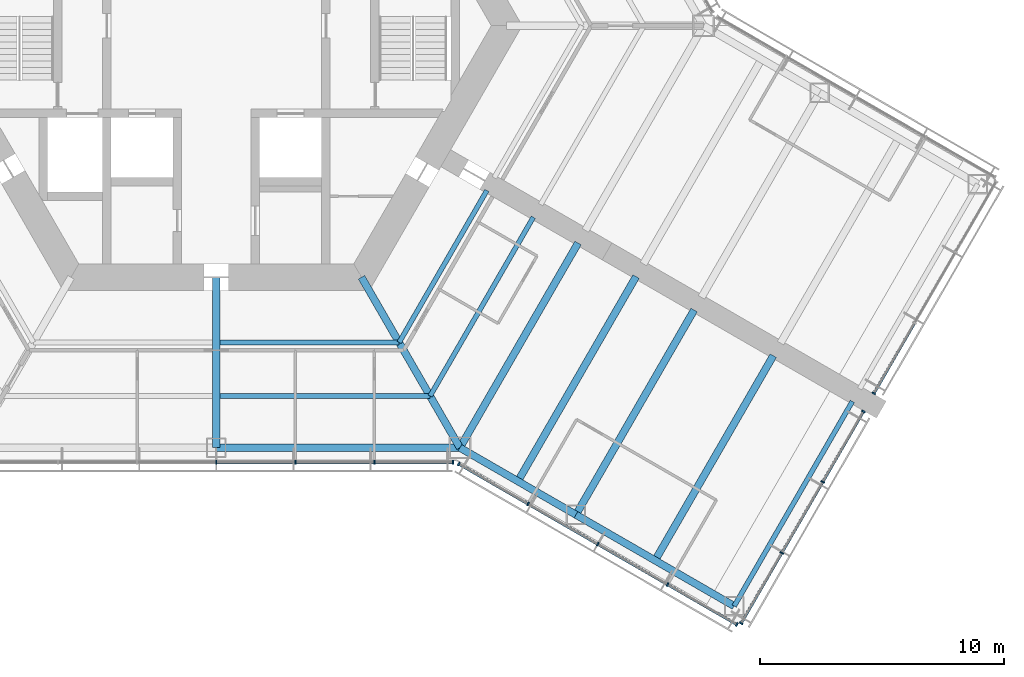
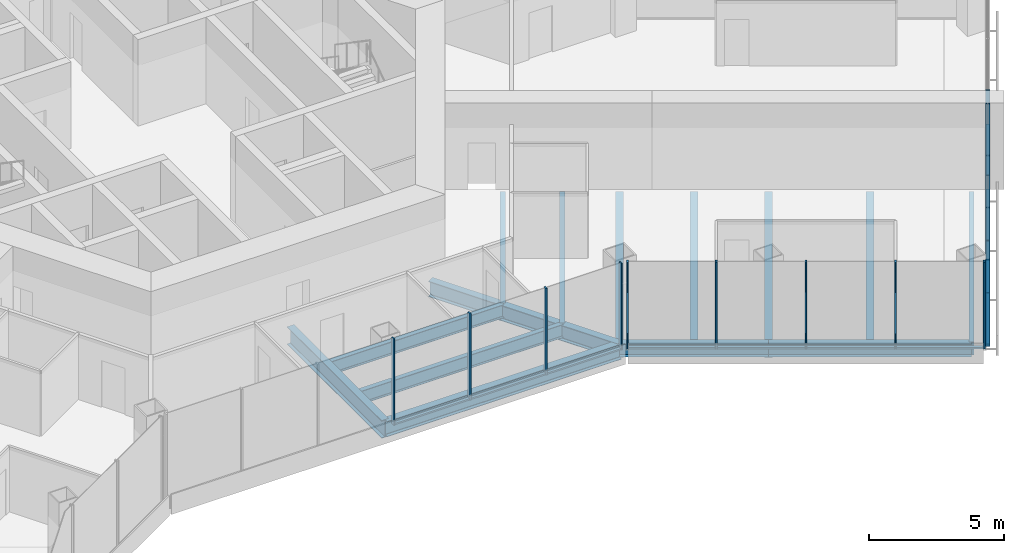
# One storey, part 5 of 19: 25 members, 14 beams, 4 elements without a shape of their own.
"""IFC4 building model written with IfcOpenShell, lengths in metres."""

from ifc_helpers import new_model, si_unit, direction, frame, origin, origin_2d, place, context, subcontext, project, spatial, rectangle, i_section, extrude, material, material_profile, profile_set, type_object, element, aggregate, save


model = new_model("IFC4")

# Units and contexts
model_context = context("Model", 3, precision=1e-05, world=origin(), true_north=direction((0.0, 1.0)))
body_context = subcontext(model_context, "Body", "Model", "MODEL_VIEW")
ifc_project = project(units=[si_unit("LENGTHUNIT", "METRE"), si_unit("AREAUNIT", "SQUARE_METRE"), si_unit("VOLUMEUNIT", "CUBIC_METRE"), si_unit("PLANEANGLEUNIT", "RADIAN"), si_unit("MASSUNIT", "GRAM", prefix="KILO")], contexts=[model_context])

# Site, building, storey
site_placement = place(None, origin())
site = spatial("IfcSite", under=ifc_project, at=site_placement, CompositionType="ELEMENT")
building_placement = place(site_placement, origin())
building = spatial("IfcBuilding", under=site, at=building_placement, Name="Kasaneha Research Tower", CompositionType="ELEMENT")
storey_placement = place(building_placement, frame((0.0, 0.0, 88.5)))
storey = spatial("IfcBuildingStorey", under=building, at=storey_placement, Name="L22", CompositionType="ELEMENT", Elevation=88.5)

# Beams
ifc_material_1 = material(Name="Steel SN490B", Category="steel")
ifc_material_profile_1 = material_profile(ifc_material_1, i_section(OverallWidth=0.199951171875, OverallDepth=0.60009765625, WebThickness=0.010986328125, FlangeThickness=0.01708984375, FilletRadius=0.012939453125, at=origin_2d()), Name="H-600x200x11x17")
ifc_profile_set_1 = profile_set([ifc_material_profile_1], Name="Steel SN490B")
beam_type_1 = type_object("IfcBeamType", Name="B1-3 secondary beam H-600x200x11x17", PredefinedType="JOIST", material=ifc_profile_set_1)
beam_1_placement = place(storey_placement, frame((7.505615234375, -13.0, -0.449951171875), z_axis=(-1.0, 0.0, 0.0), x_axis=(0.0, -1.0, 0.0)))
element("IfcBeam", 1, at=beam_1_placement, inside=storey, type_object=beam_type_1, Name="Secondary beam RS270R1 L22", PredefinedType="JOIST", context=body_context, shape_type="SweptSolid", body=[
    extrude(i_section(OverallWidth=0.199951171875, OverallDepth=0.60009765625, WebThickness=0.010986328125, FlangeThickness=0.01708984375, FilletRadius=0.012939453125, at=origin_2d()), origin(), (0.0, 0.0, 1.0), 7.355712890625),
])
beam_2_placement = place(storey_placement, frame((8.775634765625, -15.199951171875, -0.449951171875), z_axis=(-1.0, 0.0, 0.0), x_axis=(0.0, -1.0, 0.0)))
element("IfcBeam", 2, at=beam_2_placement, inside=storey, type_object=beam_type_1, Name="Secondary beam RS270R2 L22", PredefinedType="JOIST", context=body_context, shape_type="SweptSolid", body=[
    extrude(i_section(OverallWidth=0.199951171875, OverallDepth=0.60009765625, WebThickness=0.010986328125, FlangeThickness=0.01708984375, FilletRadius=0.012939453125, at=origin_2d()), origin(), (0.0, 0.0, 1.0), 8.625732421875),
])
beam_3_placement = place(storey_placement, frame((7.505615234375, -13.0, -0.449951171875), z_axis=(0.499998147991, 0.86602647304, 0.0), x_axis=(-0.86602647304, 0.499998147991, 0.0)))
element("IfcBeam", 3, at=beam_3_placement, inside=storey, type_object=beam_type_1, Name="Secondary beam RS330L1 L22", PredefinedType="JOIST", context=body_context, shape_type="SweptSolid", body=[
    extrude(i_section(OverallWidth=0.199951171875, OverallDepth=0.60009765625, WebThickness=0.010986328125, FlangeThickness=0.01708984375, FilletRadius=0.012939453125, at=origin_2d()), origin(), (0.0, 0.0, 1.0), 7.20556640625),
])
beam_4_placement = place(storey_placement, frame((8.775634765625, -15.199951171875, -0.449951171875), z_axis=(0.500020829043, 0.866013377797, 0.0), x_axis=(-0.866013377797, 0.500020829043, 0.0)))
element("IfcBeam", 4, at=beam_4_placement, inside=storey, type_object=beam_type_1, Name="Secondary beam RS330L2 L22", PredefinedType="JOIST", context=body_context, shape_type="SweptSolid", body=[
    extrude(i_section(OverallWidth=0.199951171875, OverallDepth=0.60009765625, WebThickness=0.010986328125, FlangeThickness=0.01708984375, FilletRadius=0.012939453125, at=origin_2d()), origin(), (0.0, 0.0, 1.0), 8.475830078125),
])
ifc_material_2 = material(Name="Steel SN490B", Category="steel")
ifc_material_profile_2 = material_profile(ifc_material_2, i_section(OverallWidth=0.300048828125, OverallDepth=0.58203125, WebThickness=0.011962890625, FlangeThickness=0.01708984375, FilletRadius=0.012939453125, at=origin_2d()), Name="H-582x300x12x17")
ifc_profile_set_2 = profile_set([ifc_material_profile_2], Name="Steel SN490B")
beam_type_2 = type_object("IfcBeamType", Name="B2-3 secondary beam H-582x300x12x17", PredefinedType="JOIST", material=ifc_profile_set_2)
for number, where, z_axis, x_axis, name in (
    (5, (12.381591796875, -18.695556640625, -0.44091796875), (0.500010041276, 0.866019606374, 0.0), (-0.866019606374, 0.500010041276, 0.0), "Secondary beam WBCP1 L22"),
    (6, (18.0107421875, -21.945556640625, -0.44091796875), (0.500010041276, 0.866019606374, 0.0), (-0.866019606374, 0.500010041276, 0.0), "Secondary beam WBCP2 L22"),
):
    element("IfcBeam", number, at=place(storey_placement, frame(where, z_axis=z_axis, x_axis=x_axis)), inside=storey, type_object=beam_type_2, Name=name, PredefinedType="JOIST", context=body_context, shape_type="SweptSolid", body=[
        extrude(i_section(OverallWidth=0.300048828125, OverallDepth=0.58203125, WebThickness=0.011962890625, FlangeThickness=0.01708984375, FilletRadius=0.012939453125, at=origin_2d()), origin(), (0.0, 0.0, 1.0), 9.699951171875),
    ])

# Curtain wall, members
ifc_material_3 = material(Name="Glass and aluminium", Category="aluminium")
curtain_wall_type = type_object("IfcCurtainWallType", Name="Low-rise office curtain wall", PredefinedType="USERDEFINED", material=ifc_material_3)
curtain_wall_1_placement = place(storey_placement, origin())
curtain_wall_1 = element("IfcCurtainWall", 7, at=curtain_wall_1_placement, inside=storey, type_object=curtain_wall_type, Name="CW-O1 L22 run 02a", ObjectType="UNITISED CURTAIN WALL", PredefinedType="USERDEFINED")
ifc_material_4 = material(Name="Aluminium 6063-T6", Category="aluminium")
ifc_material_profile_3 = material_profile(ifc_material_4, rectangle(XDim=0.06005859375, YDim=0.159912109375, at=origin_2d()), Name="CW-O1 mullion 60x160")
ifc_profile_set_3 = profile_set([ifc_material_profile_3], Name="Aluminium 6063-T6")
member_type_1 = type_object("IfcMemberType", Name="CW-O1 mullion", PredefinedType="MULLION", material=ifc_profile_set_3)
member_1_placement = place(storey_placement, frame((0.0, -17.92041015625, 0.0), z_axis=(0.0, 0.0, 1.0), x_axis=(1.0, 0.0, 0.0)))
member_1 = element("IfcMember", 8, at=member_1_placement, type_object=member_type_1, Name="CW-O1 mullion 4", PredefinedType="MULLION", context=body_context, shape_type="SweptSolid", body=[
    extrude(rectangle(XDim=0.06005859375, YDim=0.159912109375, at=origin_2d()), origin(), (0.0, 0.0, 1.0), 3.89990234375),
])
member_2_placement = place(storey_placement, frame((3.246337890625, -17.92041015625, 0.0), z_axis=(0.0, 0.0, 1.0), x_axis=(1.0, 0.0, 0.0)))
member_2 = element("IfcMember", 9, at=member_2_placement, type_object=member_type_1, Name="CW-O1 mullion 5", PredefinedType="MULLION", context=body_context, shape_type="SweptSolid", body=[
    extrude(rectangle(XDim=0.06005859375, YDim=0.159912109375, at=origin_2d()), origin(), (0.0, 0.0, 1.0), 3.89990234375),
])
member_3_placement = place(storey_placement, frame((6.492919921875, -17.92041015625, 0.0), z_axis=(0.0, 0.0, 1.0), x_axis=(1.0, 0.0, 0.0)))
member_3 = element("IfcMember", 10, at=member_3_placement, type_object=member_type_1, Name="CW-O1 mullion 6", PredefinedType="MULLION", context=body_context, shape_type="SweptSolid", body=[
    extrude(rectangle(XDim=0.06005859375, YDim=0.159912109375, at=origin_2d()), origin(), (0.0, 0.0, 1.0), 3.89990234375),
])
member_4_placement = place(storey_placement, frame((9.709228515625, -17.92041015625, 0.0), z_axis=(0.0, 0.0, 1.0), x_axis=(1.0, 0.0, 0.0)))
member_4 = element("IfcMember", 11, at=member_4_placement, type_object=member_type_1, Name="CW-O1 mullion 7", PredefinedType="MULLION", context=body_context, shape_type="SweptSolid", body=[
    extrude(rectangle(XDim=0.06005859375, YDim=0.159912109375, at=origin_2d()), origin(), (0.0, 0.0, 1.0), 3.89990234375),
])

curtain_wall_2_placement = place(storey_placement, origin())
curtain_wall_2 = element("IfcCurtainWall", 12, at=curtain_wall_2_placement, inside=storey, type_object=curtain_wall_type, Name="CW-O1 L22 run 03a", ObjectType="UNITISED CURTAIN WALL", PredefinedType="USERDEFINED")
member_5_placement = place(storey_placement, frame((9.951904296875, -17.985595703125, 0.0), z_axis=(0.0, 0.0, 1.0), x_axis=(0.866025411464, -0.499999986699, 0.0)))
member_5 = element("IfcMember", 13, at=member_5_placement, type_object=member_type_1, Name="CW-O1 mullion 1", PredefinedType="MULLION", context=body_context, shape_type="SweptSolid", body=[
    extrude(rectangle(XDim=0.06005859375, YDim=0.159912109375, at=origin_2d()), origin(), (0.0, 0.0, 1.0), 3.89990234375),
])
member_6_placement = place(storey_placement, frame((12.792236328125, -19.62548828125, 0.0), z_axis=(0.0, 0.0, 1.0), x_axis=(0.866025411464, -0.499999986699, 0.0)))
member_6 = element("IfcMember", 14, at=member_6_placement, type_object=member_type_1, Name="CW-O1 mullion 2", PredefinedType="MULLION", context=body_context, shape_type="SweptSolid", body=[
    extrude(rectangle(XDim=0.06005859375, YDim=0.159912109375, at=origin_2d()), origin(), (0.0, 0.0, 1.0), 3.89990234375),
])
member_7_placement = place(storey_placement, frame((15.65869140625, -21.2802734375, 0.0), z_axis=(0.0, 0.0, 1.0), x_axis=(0.866025411464, -0.499999986699, 0.0)))
member_7 = element("IfcMember", 15, at=member_7_placement, type_object=member_type_1, Name="CW-O1 mullion 3", PredefinedType="MULLION", context=body_context, shape_type="SweptSolid", body=[
    extrude(rectangle(XDim=0.06005859375, YDim=0.159912109375, at=origin_2d()), origin(), (0.0, 0.0, 1.0), 3.89990234375),
])
member_8_placement = place(storey_placement, frame((18.52490234375, -22.935302734375, 0.0), z_axis=(0.0, 0.0, 1.0), x_axis=(0.866025411464, -0.499999986699, 0.0)))
member_8 = element("IfcMember", 16, at=member_8_placement, type_object=member_type_1, Name="CW-O1 mullion 4", PredefinedType="MULLION", context=body_context, shape_type="SweptSolid", body=[
    extrude(rectangle(XDim=0.06005859375, YDim=0.159912109375, at=origin_2d()), origin(), (0.0, 0.0, 1.0), 3.89990234375),
])
member_9_placement = place(storey_placement, frame((21.365478515625, -24.5751953125, 0.0), z_axis=(0.0, 0.0, 1.0), x_axis=(0.866025411464, -0.499999986699, 0.0)))
member_9 = element("IfcMember", 17, at=member_9_placement, type_object=member_type_1, Name="CW-O1 mullion 5", PredefinedType="MULLION", context=body_context, shape_type="SweptSolid", body=[
    extrude(rectangle(XDim=0.06005859375, YDim=0.159912109375, at=origin_2d()), origin(), (0.0, 0.0, 1.0), 3.89990234375),
])

curtain_wall_3_placement = place(storey_placement, origin())
curtain_wall_3 = element("IfcCurtainWall", 18, at=curtain_wall_3_placement, inside=storey, type_object=curtain_wall_type, Name="CW-O1 L22 run 04a", ObjectType="UNITISED CURTAIN WALL", PredefinedType="USERDEFINED")
member_10_placement = place(storey_placement, frame((21.54296875, -24.527587890625, 0.0), z_axis=(0.0, 0.0, 1.0), x_axis=(0.500000011442, 0.866025397178, 0.0)))
member_10 = element("IfcMember", 19, at=member_10_placement, type_object=member_type_1, Name="CW-O1 mullion 1", PredefinedType="MULLION", context=body_context, shape_type="SweptSolid", body=[
    extrude(rectangle(XDim=0.06005859375, YDim=0.159912109375, at=origin_2d()), origin(), (0.0, 0.0, 1.0), 3.89990234375),
])
member_11_placement = place(storey_placement, frame((23.211181640625, -21.637939453125, 0.0), z_axis=(0.0, 0.0, 1.0), x_axis=(0.500000011442, 0.866025397178, 0.0)))
member_11 = element("IfcMember", 20, at=member_11_placement, type_object=member_type_1, Name="CW-O1 mullion 2", PredefinedType="MULLION", context=body_context, shape_type="SweptSolid", body=[
    extrude(rectangle(XDim=0.06005859375, YDim=0.159912109375, at=origin_2d()), origin(), (0.0, 0.0, 1.0), 3.89990234375),
])
member_12_placement = place(storey_placement, frame((24.89453125, -18.72216796875, 0.0), z_axis=(0.0, 0.0, 1.0), x_axis=(0.500000011442, 0.866025397178, 0.0)))
member_12 = element("IfcMember", 21, at=member_12_placement, type_object=member_type_1, Name="CW-O1 mullion 3", PredefinedType="MULLION", context=body_context, shape_type="SweptSolid", body=[
    extrude(rectangle(XDim=0.06005859375, YDim=0.159912109375, at=origin_2d()), origin(), (0.0, 0.0, 1.0), 3.89990234375),
])
member_13_placement = place(storey_placement, frame((26.56298828125, -15.832763671875, 0.0), z_axis=(0.0, 0.0, 1.0), x_axis=(0.500000011442, 0.866025397178, 0.0)))
member_13 = element("IfcMember", 22, at=member_13_placement, type_object=member_type_1, Name="CW-O1 mullion 4", PredefinedType="MULLION", context=body_context, shape_type="SweptSolid", body=[
    extrude(rectangle(XDim=0.06005859375, YDim=0.159912109375, at=origin_2d()), origin(), (0.0, 0.0, 1.0), 3.89990234375),
])

# Curtain wall, member
curtain_wall_4_placement = place(storey_placement, origin())
curtain_wall_4 = element("IfcCurtainWall", 23, at=curtain_wall_4_placement, inside=storey, type_object=curtain_wall_type, Name="CW-O1 L22 run 05a", ObjectType="UNITISED CURTAIN WALL", PredefinedType="USERDEFINED")
member_14_placement = place(storey_placement, frame((26.992919921875, -15.087890625, 0.0), z_axis=(0.0, 0.0, 1.0), x_axis=(0.500000011442, 0.866025397178, 0.0)))
member_14 = element("IfcMember", 24, at=member_14_placement, type_object=member_type_1, Name="CW-O1 mullion 1", PredefinedType="MULLION", context=body_context, shape_type="SweptSolid", body=[
    extrude(rectangle(XDim=0.06005859375, YDim=0.159912109375, at=origin_2d()), origin(), (0.0, 0.0, 1.0), 3.89990234375),
])

# Member
ifc_material_5 = material(Name="Aluminium 6063-T6", Category="aluminium")
ifc_material_profile_4 = material_profile(ifc_material_5, rectangle(XDim=0.1201171875, YDim=0.06005859375, at=origin_2d()), Name="CW-O1 transom 120x60")
ifc_profile_set_4 = profile_set([ifc_material_profile_4], Name="Aluminium 6063-T6")
member_type_2 = type_object("IfcMemberType", Name="CW-O1 transom", PredefinedType="USERDEFINED", material=ifc_profile_set_4)
member_15_placement = place(storey_placement, frame((0.030029296875, -17.92041015625, 0.030029296875), z_axis=(1.0, 0.0, 0.0), x_axis=(0.0, 1.0, 0.0)))
member_15 = element("IfcMember", 25, at=member_15_placement, type_object=member_type_2, Name="CW-O1 transom 4", ObjectType="TRANSOM", PredefinedType="USERDEFINED", context=body_context, shape_type="SweptSolid", body=[
    extrude(rectangle(XDim=0.1201171875, YDim=0.06005859375, at=origin_2d()), origin(), (0.0, 0.0, 1.0), 3.186279296875),
])

member_16_placement = place(storey_placement, frame((3.2763671875, -17.92041015625, 0.030029296875), z_axis=(1.0, 0.0, 0.0), x_axis=(0.0, 1.0, 0.0)))
member_16 = element("IfcMember", 26, at=member_16_placement, type_object=member_type_2, Name="CW-O1 transom 5", ObjectType="TRANSOM", PredefinedType="USERDEFINED", context=body_context, shape_type="SweptSolid", body=[
    extrude(rectangle(XDim=0.1201171875, YDim=0.06005859375, at=origin_2d()), origin(), (0.0, 0.0, 1.0), 3.1865234375),
])

member_17_placement = place(storey_placement, frame((6.522705078125, -17.92041015625, 0.030029296875), z_axis=(1.0, 0.0, 0.0), x_axis=(0.0, 1.0, 0.0)))
member_17 = element("IfcMember", 27, at=member_17_placement, type_object=member_type_2, Name="CW-O1 transom 6", ObjectType="TRANSOM", PredefinedType="USERDEFINED", context=body_context, shape_type="SweptSolid", body=[
    extrude(rectangle(XDim=0.1201171875, YDim=0.06005859375, at=origin_2d()), origin(), (0.0, 0.0, 1.0), 3.156494140625),
])

aggregate(curtain_wall_1, [member_1, member_2, member_3, member_4, member_15, member_16, member_17])

member_18_placement = place(storey_placement, frame((9.977783203125, -18.00048828125, 0.030029296875), z_axis=(0.866022692473, -0.500004696101, 0.0), x_axis=(0.500004696101, 0.866022692473, 0.0)))
member_18 = element("IfcMember", 28, at=member_18_placement, type_object=member_type_2, Name="CW-O1 transom 1", ObjectType="TRANSOM", PredefinedType="USERDEFINED", context=body_context, shape_type="SweptSolid", body=[
    extrude(rectangle(XDim=0.1201171875, YDim=0.06005859375, at=origin_2d()), origin(), (0.0, 0.0, 1.0), 3.2197265625),
])

member_19_placement = place(storey_placement, frame((12.818115234375, -19.640380859375, 0.030029296875), z_axis=(0.866015446554, -0.500017246033, 0.0), x_axis=(0.500017246033, 0.866015446554, 0.0)))
member_19 = element("IfcMember", 29, at=member_19_placement, type_object=member_type_2, Name="CW-O1 transom 2", ObjectType="TRANSOM", PredefinedType="USERDEFINED", context=body_context, shape_type="SweptSolid", body=[
    extrude(rectangle(XDim=0.1201171875, YDim=0.06005859375, at=origin_2d()), origin(), (0.0, 0.0, 1.0), 3.25),
])

member_20_placement = place(storey_placement, frame((15.6845703125, -21.29541015625, 0.030029296875), z_axis=(0.86604797581, -0.499960902066, 0.0), x_axis=(0.499960902066, 0.86604797581, 0.0)))
member_20 = element("IfcMember", 30, at=member_20_placement, type_object=member_type_2, Name="CW-O1 transom 3", ObjectType="TRANSOM", PredefinedType="USERDEFINED", context=body_context, shape_type="SweptSolid", body=[
    extrude(rectangle(XDim=0.1201171875, YDim=0.06005859375, at=origin_2d()), origin(), (0.0, 0.0, 1.0), 3.249755859375),
])

member_21_placement = place(storey_placement, frame((18.551025390625, -22.9501953125, 0.030029296875), z_axis=(0.866022692473, -0.500004696101, 0.0), x_axis=(0.500004696101, 0.866022692473, 0.0)))
member_21 = element("IfcMember", 31, at=member_21_placement, type_object=member_type_2, Name="CW-O1 transom 4", ObjectType="TRANSOM", PredefinedType="USERDEFINED", context=body_context, shape_type="SweptSolid", body=[
    extrude(rectangle(XDim=0.1201171875, YDim=0.06005859375, at=origin_2d()), origin(), (0.0, 0.0, 1.0), 3.2197265625),
])

aggregate(curtain_wall_2, [member_5, member_6, member_7, member_8, member_9, member_18, member_19, member_20, member_21])

member_22_placement = place(storey_placement, frame((21.557861328125, -24.50146484375, 0.030029296875), z_axis=(0.500025583411, 0.866010632691, 0.0), x_axis=(-0.866010632691, 0.500025583411, 0.0)))
member_22 = element("IfcMember", 32, at=member_22_placement, type_object=member_type_2, Name="CW-O1 transom 1", ObjectType="TRANSOM", PredefinedType="USERDEFINED", context=body_context, shape_type="SweptSolid", body=[
    extrude(rectangle(XDim=0.1201171875, YDim=0.06005859375, at=origin_2d()), origin(), (0.0, 0.0, 1.0), 3.276611328125),
])

member_23_placement = place(storey_placement, frame((23.226318359375, -21.61181640625, 0.030029296875), z_axis=(0.500014325468, 0.866017132814, 0.0), x_axis=(-0.866017132814, 0.500014325468, 0.0)))
member_23 = element("IfcMember", 33, at=member_23_placement, type_object=member_type_2, Name="CW-O1 transom 2", ObjectType="TRANSOM", PredefinedType="USERDEFINED", context=body_context, shape_type="SweptSolid", body=[
    extrude(rectangle(XDim=0.1201171875, YDim=0.06005859375, at=origin_2d()), origin(), (0.0, 0.0, 1.0), 3.306640625),
])

member_24_placement = place(storey_placement, frame((24.90966796875, -18.6962890625, 0.030029296875), z_axis=(0.499969700927, 0.866042896256, 0.0), x_axis=(-0.866042896256, 0.499969700927, 0.0)))
member_24 = element("IfcMember", 34, at=member_24_placement, type_object=member_type_2, Name="CW-O1 transom 3", ObjectType="TRANSOM", PredefinedType="USERDEFINED", context=body_context, shape_type="SweptSolid", body=[
    extrude(rectangle(XDim=0.1201171875, YDim=0.06005859375, at=origin_2d()), origin(), (0.0, 0.0, 1.0), 3.276611328125),
])

aggregate(curtain_wall_3, [member_10, member_11, member_12, member_13, member_22, member_23, member_24])

member_25_placement = place(storey_placement, frame((27.008056640625, -15.061767578125, 0.030029296875), z_axis=(0.499969700927, 0.866042896256, 0.0), x_axis=(-0.866042896256, 0.499969700927, 0.0)))
member_25 = element("IfcMember", 35, at=member_25_placement, type_object=member_type_2, Name="CW-O1 transom 1", ObjectType="TRANSOM", PredefinedType="USERDEFINED", context=body_context, shape_type="SweptSolid", body=[
    extrude(rectangle(XDim=0.1201171875, YDim=0.06005859375, at=origin_2d()), origin(), (0.0, 0.0, 1.0), 3.276611328125),
])

aggregate(curtain_wall_4, [member_14, member_25])

# Beams
ifc_material_6 = material(Name="Steel SN490B", Category="steel")
ifc_material_profile_5 = material_profile(ifc_material_6, i_section(OverallWidth=0.300048828125, OverallDepth=0.699951171875, WebThickness=0.012939453125, FlangeThickness=0.02392578125, FilletRadius=0.01806640625, at=origin_2d()), Name="H-700x300x13x24")
ifc_profile_set_5 = profile_set([ifc_material_profile_5], Name="Steel SN490B")
beam_type_3 = type_object("IfcBeamType", Name="G1-3 radial girder H-700x300x13x24", PredefinedType="BEAM", material=ifc_profile_set_5)
beam_5_placement = place(storey_placement, frame((5.961181640625, -10.324951171875, -0.5), z_axis=(0.49999105496, -0.866030568144, 0.0), x_axis=(0.866030568144, 0.49999105496, 0.0)))
element("IfcBeam", 36, at=beam_5_placement, inside=storey, type_object=beam_type_3, Name="Radial girder RV300 L22", PredefinedType="BEAM", context=body_context, shape_type="SweptSolid", body=[
    extrude(i_section(OverallWidth=0.300048828125, OverallDepth=0.699951171875, WebThickness=0.012939453125, FlangeThickness=0.02392578125, FilletRadius=0.01806640625, at=origin_2d()), origin(), (0.0, 0.0, 1.0), 8.077880859375),
])
ifc_material_7 = material(Name="Steel SN490B", Category="steel")
ifc_material_profile_6 = material_profile(ifc_material_7, i_section(OverallWidth=0.300048828125, OverallDepth=0.800048828125, WebThickness=0.013916015625, FlangeThickness=0.02587890625, FilletRadius=0.01806640625, at=origin_2d()), Name="H-800x300x14x26")
ifc_profile_set_6 = profile_set([ifc_material_profile_6], Name="Steel SN490B")
beam_type_4 = type_object("IfcBeamType", Name="G2-3 radial girder H-800x300x14x26", PredefinedType="BEAM", material=ifc_profile_set_6)
beam_6_placement = place(storey_placement, frame((0.0, -10.324951171875, -0.550048828125), z_axis=(0.0, -1.0, 0.0), x_axis=(1.0, 0.0, 0.0)))
element("IfcBeam", 37, at=beam_6_placement, inside=storey, type_object=beam_type_4, Name="Radial girder RM270 L22", PredefinedType="BEAM", context=body_context, shape_type="SweptSolid", body=[
    extrude(i_section(OverallWidth=0.300048828125, OverallDepth=0.800048828125, WebThickness=0.013916015625, FlangeThickness=0.02587890625, FilletRadius=0.01806640625, at=origin_2d()), origin(), (0.0, 0.0, 1.0), 6.99560546875),
])
ifc_material_8 = material(Name="Steel SN490B", Category="steel")
ifc_material_profile_7 = material_profile(ifc_material_8, i_section(OverallWidth=0.300048828125, OverallDepth=0.69189453125, WebThickness=0.012939453125, FlangeThickness=0.02001953125, FilletRadius=0.01806640625, at=origin_2d()), Name="H-692x300x13x20")
ifc_profile_set_7 = profile_set([ifc_material_profile_7], Name="Steel SN490B")
beam_type_5 = type_object("IfcBeamType", Name="G3-3 plate edge girder H-692x300x13x20", PredefinedType="BEAM", material=ifc_profile_set_7)
beam_7_placement = place(storey_placement, frame((10.0, -17.320556640625, -0.49609375), z_axis=(0.500010041276, 0.866019606374, 0.0), x_axis=(-0.866019606374, 0.500010041276, 0.0)))
element("IfcBeam", 38, at=beam_7_placement, inside=storey, type_object=beam_type_5, Name="Plate edge girder PECP L22", PredefinedType="BEAM", context=body_context, shape_type="SweptSolid", body=[
    extrude(i_section(OverallWidth=0.300048828125, OverallDepth=0.69189453125, WebThickness=0.012939453125, FlangeThickness=0.02001953125, FilletRadius=0.01806640625, at=origin_2d()), origin(), (0.0, 0.0, 1.0), 9.699951171875),
])
ifc_material_9 = material(Name="Steel SN490B", Category="steel")
ifc_material_profile_8 = material_profile(ifc_material_9, i_section(OverallWidth=0.300048828125, OverallDepth=0.699951171875, WebThickness=0.012939453125, FlangeThickness=0.02392578125, FilletRadius=0.01806640625, at=origin_2d()), Name="H-700x300x13x24")
ifc_profile_set_8 = profile_set([ifc_material_profile_8], Name="Steel SN490B")
beam_type_6 = type_object("IfcBeamType", Name="G4-3 wing girder H-700x300x13x24", PredefinedType="BEAM", material=ifc_profile_set_8)
beam_8_placement = place(storey_placement, frame((14.76318359375, -20.070556640625, -0.5), z_axis=(0.499991164321, 0.866030505006, 0.0), x_axis=(-0.866030505006, 0.499991164321, 0.0)))
element("IfcBeam", 39, at=beam_8_placement, inside=storey, type_object=beam_type_6, Name="Wing girder WGCP L22", PredefinedType="BEAM", context=body_context, shape_type="SweptSolid", body=[
    extrude(i_section(OverallWidth=0.300048828125, OverallDepth=0.699951171875, WebThickness=0.012939453125, FlangeThickness=0.02392578125, FilletRadius=0.01806640625, at=origin_2d()), origin(), (0.0, 0.0, 1.0), 9.699951171875),
])
ifc_material_10 = material(Name="Steel SN490B", Category="steel")
ifc_material_profile_9 = material_profile(ifc_material_10, i_section(OverallWidth=0.300048828125, OverallDepth=0.69189453125, WebThickness=0.012939453125, FlangeThickness=0.02001953125, FilletRadius=0.01806640625, at=origin_2d()), Name="H-692x300x13x20")
ifc_profile_set_9 = profile_set([ifc_material_profile_9], Name="Steel SN490B")
beam_type_7 = type_object("IfcBeamType", Name="SB1-3 spandrel beam H-692x300x13x20", PredefinedType="SPANDREL", material=ifc_profile_set_9)
beam_9_placement = place(storey_placement, frame((10.0, -17.320556640625, -0.49609375), z_axis=(-1.0, 0.0, 0.0), x_axis=(0.0, -1.0, 0.0)))
element("IfcBeam", 40, at=beam_9_placement, inside=storey, type_object=beam_type_7, Name="Spandrel beam SR270R L22", PredefinedType="SPANDREL", context=body_context, shape_type="SweptSolid", body=[
    extrude(i_section(OverallWidth=0.300048828125, OverallDepth=0.69189453125, WebThickness=0.012939453125, FlangeThickness=0.02001953125, FilletRadius=0.01806640625, at=origin_2d()), origin(), (0.0, 0.0, 1.0), 10.0),
])
ifc_material_11 = material(Name="Steel SN490B", Category="steel")
ifc_material_profile_10 = material_profile(ifc_material_11, i_section(OverallWidth=0.300048828125, OverallDepth=0.58203125, WebThickness=0.011962890625, FlangeThickness=0.01708984375, FilletRadius=0.012939453125, at=origin_2d()), Name="H-582x300x12x17")
ifc_profile_set_10 = profile_set([ifc_material_profile_10], Name="Steel SN490B")
beam_type_8 = type_object("IfcBeamType", Name="SB2-3 spandrel beam H-582x300x12x17", PredefinedType="SPANDREL", material=ifc_profile_set_10)
beam_10_placement = place(storey_placement, frame((10.0, -17.320556640625, -0.44091796875), z_axis=(0.866027397988, -0.499996545922, 0.0), x_axis=(0.499996545922, 0.866027397988, 0.0)))
element("IfcBeam", 41, at=beam_10_placement, inside=storey, type_object=beam_type_8, Name="Spandrel beam WSCP1 L22", PredefinedType="SPANDREL", context=body_context, shape_type="SweptSolid", body=[
    extrude(i_section(OverallWidth=0.300048828125, OverallDepth=0.58203125, WebThickness=0.011962890625, FlangeThickness=0.01708984375, FilletRadius=0.012939453125, at=origin_2d()), origin(), (0.0, 0.0, 1.0), 5.5),
])
beam_11_placement = place(storey_placement, frame((14.76318359375, -20.070556640625, -0.44091796875), z_axis=(0.866022959057, -0.500004234368, 0.0), x_axis=(0.500004234368, 0.866022959057, 0.0)))
element("IfcBeam", 42, at=beam_11_placement, inside=storey, type_object=beam_type_8, Name="Spandrel beam WSCP2 L22", PredefinedType="SPANDREL", context=body_context, shape_type="SweptSolid", body=[
    extrude(i_section(OverallWidth=0.300048828125, OverallDepth=0.58203125, WebThickness=0.011962890625, FlangeThickness=0.01708984375, FilletRadius=0.012939453125, at=origin_2d()), origin(), (0.0, 0.0, 1.0), 7.5),
])
ifc_material_12 = material(Name="Steel SN490B", Category="steel")
ifc_material_profile_11 = material_profile(ifc_material_12, i_section(OverallWidth=0.199951171875, OverallDepth=0.60009765625, WebThickness=0.010986328125, FlangeThickness=0.01708984375, FilletRadius=0.012939453125, at=origin_2d()), Name="H-600x200x11x17")
ifc_profile_set_11 = profile_set([ifc_material_profile_11], Name="Steel SN490B")
beam_type_9 = type_object("IfcBeamType", Name="SB3-3 spandrel beam H-600x200x11x17", PredefinedType="SPANDREL", material=ifc_profile_set_11)
beam_12_placement = place(storey_placement, frame((21.25830078125, -23.820556640625, -0.449951171875), z_axis=(0.500010041276, 0.866019606374, 0.0), x_axis=(-0.866019606374, 0.500010041276, 0.0)))
element("IfcBeam", 43, at=beam_12_placement, inside=storey, type_object=beam_type_9, Name="Spandrel beam WTCP L22", PredefinedType="SPANDREL", context=body_context, shape_type="SweptSolid", body=[
    extrude(i_section(OverallWidth=0.199951171875, OverallDepth=0.60009765625, WebThickness=0.010986328125, FlangeThickness=0.01708984375, FilletRadius=0.012939453125, at=origin_2d()), origin(), (0.0, 0.0, 1.0), 9.699951171875),
])

save(model, "model.ifc")
